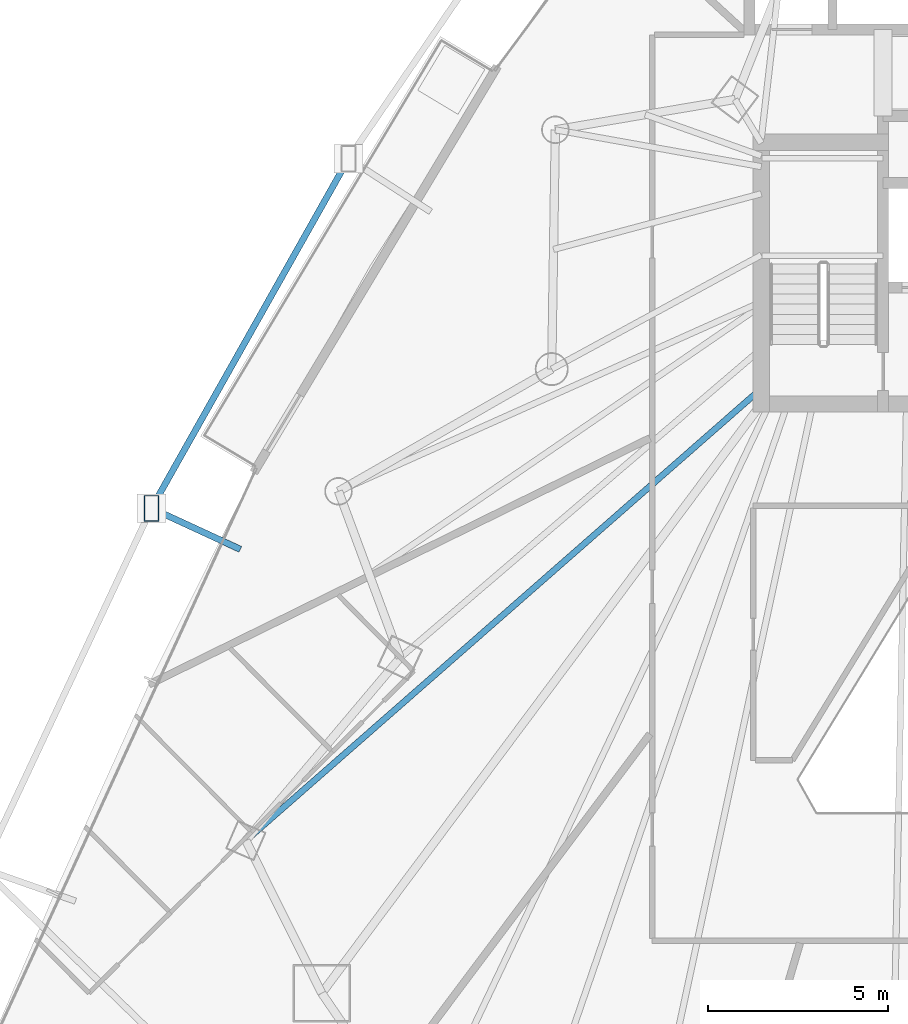
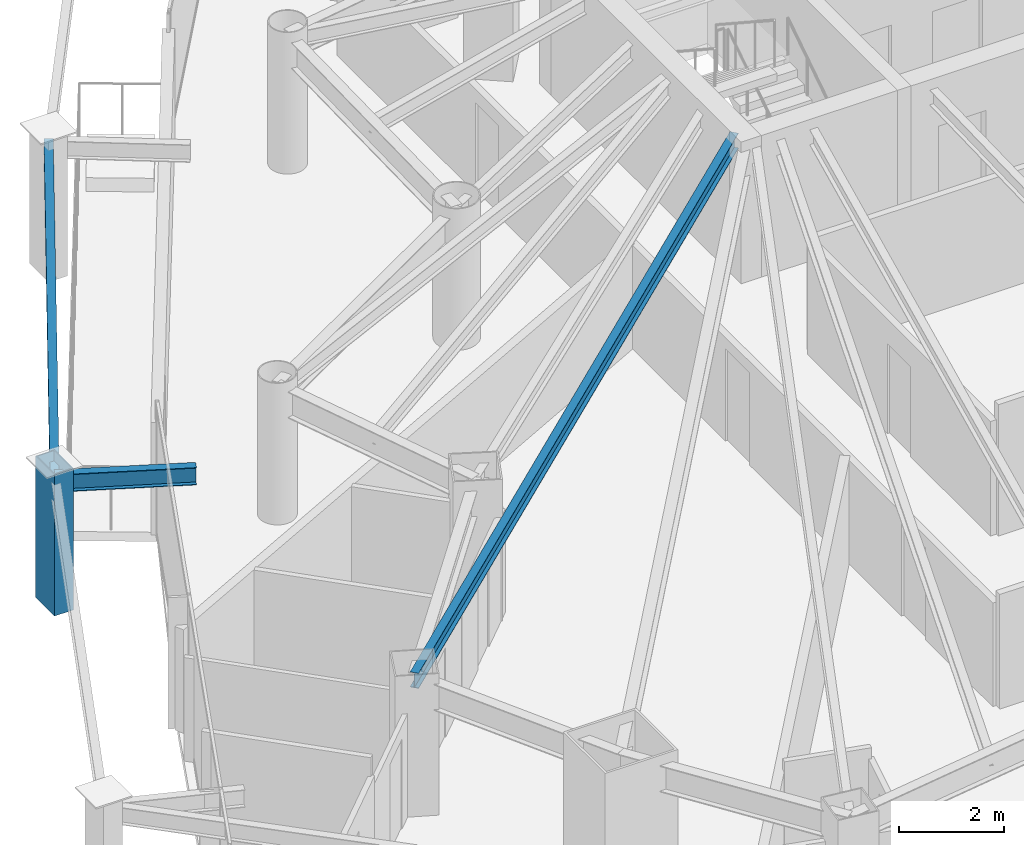
# One storey, part 9 of 35: 3 beams, 1 member.
"""IFC4 building model written with IfcOpenShell, lengths in metres."""

from ifc_helpers import new_model, si_unit, direction, frame, origin, origin_2d, place, context, subcontext, project, spatial, hollow_rectangle, i_section, extrude, material, material_profile, profile_set, type_object, element, save


model = new_model("IFC4")

# Units and contexts
model_context = context("Model", 3, precision=1e-05, world=origin(), true_north=direction((0.0, 1.0)))
body_context = subcontext(model_context, "Body", "Model", "MODEL_VIEW")
ifc_project = project(units=[si_unit("LENGTHUNIT", "METRE"), si_unit("AREAUNIT", "SQUARE_METRE"), si_unit("VOLUMEUNIT", "CUBIC_METRE"), si_unit("PLANEANGLEUNIT", "RADIAN"), si_unit("MASSUNIT", "GRAM", prefix="KILO")], contexts=[model_context])

# Site, building, storey
site_placement = place(None, origin())
site = spatial("IfcSite", under=ifc_project, at=site_placement, CompositionType="ELEMENT")
building_placement = place(site_placement, origin())
building = spatial("IfcBuilding", under=site, at=building_placement, Name="Orvanel Arch Residences", CompositionType="ELEMENT")
storey_placement = place(building_placement, frame((0.0, 0.0, 40.10009765625)))
storey = spatial("IfcBuildingStorey", under=building, at=storey_placement, Name="L10", CompositionType="ELEMENT", Elevation=40.10009765625)

# Beam
ifc_material_1 = material(Name="Structural steel AS/NZS 3679.1 Grade 300 (300 MPa)", Category="steel")
ifc_material_profile_1 = material_profile(ifc_material_1, i_section(OverallWidth=0.1708984375, OverallDepth=0.35595703125, WebThickness=0.00732421875, FlangeThickness=0.011474609375, at=origin_2d()), Name="360UB50.7")
ifc_profile_set_1 = profile_set([ifc_material_profile_1], Name="Structural steel AS/NZS 3679.1 Grade 300 (300 MPa)")
beam_type_1 = type_object("IfcBeamType", Name="BJ-360UB", PredefinedType="JOIST", material=ifc_profile_set_1)
beam_1_placement = place(storey_placement, frame((26.375, 27.10009765625, 2.8818359375), z_axis=(-0.751924114057, -0.659249669472, 0.0), x_axis=(0.659249669472, -0.751924114057, 0.0)))
element("IfcBeam", 1, at=beam_1_placement, inside=storey, type_object=beam_type_1, Name="L10 MW Wing Floor Joist", PredefinedType="JOIST", context=body_context, shape_type="SweptSolid", body=[
    extrude(i_section(OverallWidth=0.1708984375, OverallDepth=0.35595703125, WebThickness=0.00732421875, FlangeThickness=0.011474609375, at=origin_2d()), origin(), (0.0, 0.0, 1.0), 18.9912109375),
])

# Member
ifc_material_2 = material(Name="Structural steel AS/NZS 3678 Grade 350", Category="steel")
ifc_material_profile_2 = material_profile(ifc_material_2, hollow_rectangle(XDim=0.419921875, YDim=0.719970703125, WallThickness=0.02490234375, at=origin_2d()), Name="RHS720x420x25")
ifc_profile_set_2 = profile_set([ifc_material_profile_2], Name="Structural steel AS/NZS 3678 Grade 350")
member_type = type_object("IfcMemberType", Name="CH-720RHS-EXT", PredefinedType="CHORD", material=ifc_profile_set_2)
member_placement = place(storey_placement, frame((9.47998046875, 23.785888671875, 0.0), z_axis=(0.0, 0.0, 1.0), x_axis=(1.0, 0.0, 0.0)))
element("IfcMember", 2, at=member_placement, inside=storey, type_object=member_type, Name="L10 Outer Perimeter Frame Post 03", PredefinedType="CHORD", context=body_context, shape_type="SweptSolid", body=[
    extrude(hollow_rectangle(XDim=0.419921875, YDim=0.719970703125, WallThickness=0.02490234375, at=origin_2d()), origin(), (0.0, 0.0, 1.0), 3.2998046875),
])

# Beams
ifc_material_profile_3 = material_profile(ifc_material_1, i_section(OverallWidth=0.177978515625, OverallDepth=0.406005859375, WebThickness=0.0078125, FlangeThickness=0.0126953125, at=origin_2d()), Name="410UB59.7")
ifc_profile_set_3 = profile_set([ifc_material_profile_3], Name="Structural steel AS/NZS 3679.1 Grade 300 (300 MPa)")
beam_type_2 = type_object("IfcBeamType", Name="OB-410UB-EXT", PredefinedType="SPANDREL", material=ifc_profile_set_3)
beam_2_placement = place(storey_placement, frame((14.93994140625, 33.469970703125, 2.85693359375), z_axis=(-0.491126388143, -0.871088325527, 0.0), x_axis=(0.871088325527, -0.491126388143, 0.0)))
element("IfcBeam", 3, at=beam_2_placement, inside=storey, type_object=beam_type_2, Name="L10 Outer Perimeter Floor Ring Beam 02", PredefinedType="SPANDREL", context=body_context, shape_type="SweptSolid", body=[
    extrude(i_section(OverallWidth=0.177978515625, OverallDepth=0.406005859375, WebThickness=0.0078125, FlangeThickness=0.0126953125, at=origin_2d()), origin(), (0.0, 0.0, 1.0), 11.1171875),
])
beam_3_placement = place(storey_placement, frame((11.94189453125, 22.64794921875, 2.85693359375), z_axis=(-0.907724760779, 0.419566155295, 0.0), x_axis=(-0.419566155295, -0.907724760779, 0.0)))
element("IfcBeam", 4, at=beam_3_placement, inside=storey, type_object=beam_type_2, Name="L10 Outer Frame Radial Tie Beam 03", PredefinedType="SPANDREL", context=body_context, shape_type="SweptSolid", body=[
    extrude(i_section(OverallWidth=0.177978515625, OverallDepth=0.406005859375, WebThickness=0.0078125, FlangeThickness=0.0126953125, at=origin_2d()), origin(), (0.0, 0.0, 1.0), 2.712158203125),
])

save(model, "model.ifc")
